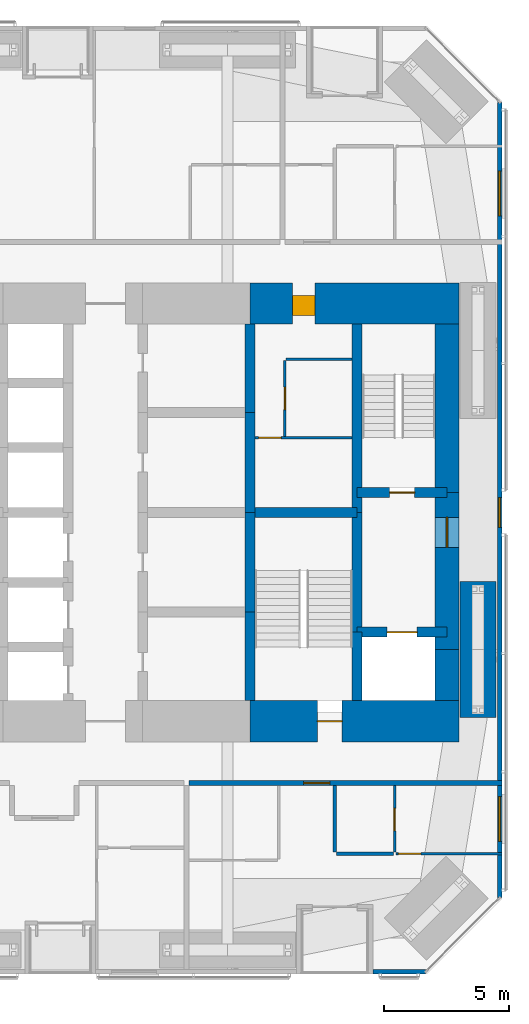
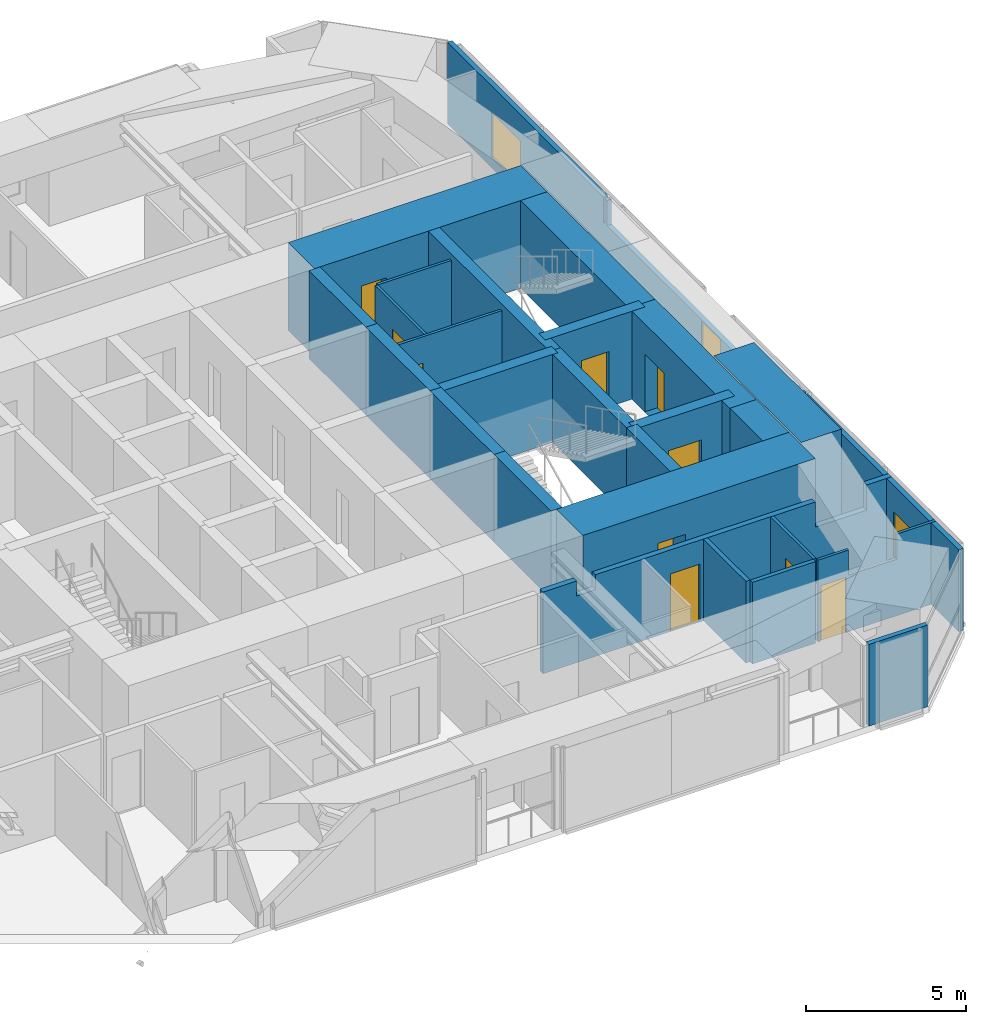
# One storey, part 20 of 23: 26 walls, 10 doors, 3 windows, 13 openings.
"""IFC4 building model written with IfcOpenShell, lengths in metres."""

from ifc_helpers import new_model, si_unit, direction, frame, frame_2d, origin, place, context, subcontext, project, spatial, polyline, rectangle, outline, extrude, material, layer, layer_set, constituent, constituent_set, type_object, element, fill, save


model = new_model("IFC4")

# Units and contexts
model_context = context("Model", 3, precision=1e-05, world=origin(), true_north=direction((0.0, 1.0)))
body_context = subcontext(model_context, "Body", "Model", "MODEL_VIEW")
ifc_project = project(units=[si_unit("LENGTHUNIT", "METRE"), si_unit("AREAUNIT", "SQUARE_METRE"), si_unit("VOLUMEUNIT", "CUBIC_METRE"), si_unit("PLANEANGLEUNIT", "RADIAN"), si_unit("MASSUNIT", "GRAM", prefix="KILO")], contexts=[model_context])

# Site, building, storey
site_placement = place(None, origin())
site = spatial("IfcSite", under=ifc_project, at=site_placement, CompositionType="ELEMENT")
building_placement = place(site_placement, origin())
building = spatial("IfcBuilding", under=site, at=building_placement, Name="Jalousie Tower", CompositionType="ELEMENT")
storey_placement = place(building_placement, frame((0.0, 0.0, 27.699951171875)))
storey = spatial("IfcBuildingStorey", under=building, at=storey_placement, Name="L06", CompositionType="ELEMENT", Elevation=27.699951171875)

# Walls
ifc_material_1 = material(Name="Concrete block ASTM C90", Category="concrete")
ifc_constituent_1 = constituent(ifc_material_1, Name="Body")
ifc_material_2 = material(Name="Render")
ifc_constituent_2 = constituent(ifc_material_2, Name="Finish")
ifc_constituent_set_1 = constituent_set(constituents=[ifc_constituent_1, ifc_constituent_2])
wall_type_1 = type_object("IfcWallType", Name="BATHROOM WALL 150", PredefinedType="PLUMBINGWALL", material=ifc_constituent_set_1)
wall_1_placement = place(storey_placement, frame((39.375, 4.8173828125, 0.0), z_axis=(0.0, 0.0, 1.0), x_axis=(1.0, 0.0, 0.0)))
element("IfcWall", 1, at=wall_1_placement, inside=storey, type_object=wall_type_1, Name="Bathroom Wall 150 L06", PredefinedType="PLUMBINGWALL", context=body_context, shape_type="SweptSolid", body=[
    extrude(rectangle(XDim=2.27490234375, YDim=0.14990234375, at=frame_2d((1.137451171875, 0.0))), origin(), (0.0, 0.0, 1.0), 3.110107421875),
])
wall_2_placement = place(storey_placement, frame((39.300048828125, 4.892333984375, 0.0), z_axis=(0.0, 0.0, 1.0), x_axis=(0.0, 1.0, 0.0)))
element("IfcWall", 2, at=wall_2_placement, inside=storey, type_object=wall_type_1, Name="Bathroom Wall 150 L06", PredefinedType="PLUMBINGWALL", context=body_context, shape_type="SweptSolid", body=[
    extrude(rectangle(XDim=2.65771484375, YDim=0.14990234375, at=frame_2d((1.328857421875, 0.0))), origin(), (0.0, 0.0, 1.0), 3.110107421875),
])

# Wall, opening, door
ifc_material_3 = material(Name="Concrete f'c 120 MPa", Category="concrete")
ifc_layer_1 = layer(ifc_material_3, 1.64990234375)
ifc_layer_set_1 = layer_set([ifc_layer_1], Name="Concrete f'c 120 MPa")
wall_type_2 = type_object("IfcWallType", Name="CORE WALL 1650", PredefinedType="SHEAR", material=ifc_layer_set_1)
wall_3_placement = place(storey_placement, frame((35.89990234375, 10.125, 0.0), z_axis=(0.0, 0.0, 1.0), x_axis=(1.0, 0.0, 0.0)))
wall_3 = element("IfcWall", 3, at=wall_3_placement, inside=storey, type_object=wall_type_2, Name="Core wall SD L06", PredefinedType="SHEAR", context=body_context, shape_type="SweptSolid", body=[
    extrude(rectangle(XDim=8.375, YDim=1.64990234375, at=frame_2d((4.1875, 0.0))), origin(), (0.0, 0.0, 1.0), 3.35009765625),
])
opening_1_placement = place(wall_3_placement, frame((2.699951171875, 0.0, 0.0)))
opening_1 = element("IfcOpeningElement", 4, at=opening_1_placement, cuts=wall_3, Name="Opening D10", PredefinedType="OPENING", context=body_context, shape_type="SweptSolid", body=[
    extrude(rectangle(XDim=1.0, YDim=2.10009765625, at=frame_2d((0.5, 1.050048828125))), frame((0.0, 0.8349609375, 0.0), z_axis=(0.0, -1.0, 0.0), x_axis=(1.0, 0.0, 0.0)), (0.0, 0.0, 1.0), 1.669921875),
])
ifc_material_4 = material(Name="Steel fire door", Category="steel")
door_type_1 = type_object("IfcDoorType", Name="STAIR DOOR 1000", OperationType="SINGLE_SWING_LEFT", PredefinedType="DOOR", material=ifc_material_4)
door_1_placement = place(opening_1_placement, origin())
door_1 = element("IfcDoor", 5, at=door_1_placement, inside=storey, type_object=door_type_1, Name="Exit stair C door", OperationType="SINGLE_SWING_RIGHT", OverallHeight=2.10009765625, OverallWidth=1.0, PredefinedType="DOOR", context=body_context, shape_type="SweptSolid", body=[
    extrude(rectangle(XDim=1.0, YDim=2.10009765625, at=frame_2d((0.5, 1.050048828125))), frame((0.0, 0.02490234375, 0.0), z_axis=(0.0, -1.0, 0.0), x_axis=(1.0, 0.0, 0.0)), (0.0, 0.0, 1.0), 0.050048828125),
])
fill(opening_1, door_1)

wall_4_placement = place(storey_placement, frame((44.27490234375, 26.875, 0.0), z_axis=(0.0, 0.0, 1.0), x_axis=(-1.0, 0.0, 0.0)))
wall_4 = element("IfcWall", 6, at=wall_4_placement, inside=storey, type_object=wall_type_2, Name="Core wall NA L06", PredefinedType="SHEAR", context=body_context, shape_type="SweptSolid", body=[
    extrude(rectangle(XDim=8.375, YDim=1.64990234375, at=frame_2d((4.1875, 0.0))), origin(), (0.0, 0.0, 1.0), 3.35009765625),
])
opening_2_placement = place(wall_4_placement, frame((5.77490234375, 0.0, 0.0)))
opening_2 = element("IfcOpeningElement", 7, at=opening_2_placement, cuts=wall_4, Name="Opening D25", PredefinedType="OPENING", context=body_context, shape_type="SweptSolid", body=[
    extrude(rectangle(XDim=0.89990234375, YDim=2.10009765625, at=frame_2d((0.449951171875, 1.050048828125))), frame((0.0, 0.8349609375, 0.0), z_axis=(0.0, -1.0, 0.0), x_axis=(1.0, 0.0, 0.0)), (0.0, 0.0, 1.0), 1.669921875),
])
ifc_material_5 = material(Name="Steel fire door", Category="steel")
door_type_2 = type_object("IfcDoorType", Name="SERVICE LOBBY DOOR 900", OperationType="SINGLE_SWING_LEFT", PredefinedType="DOOR", material=ifc_material_5)
door_2_placement = place(opening_2_placement, origin())
door_2 = element("IfcDoor", 8, at=door_2_placement, inside=storey, type_object=door_type_2, Name="Service lobby door", OperationType="SINGLE_SWING_RIGHT", OverallHeight=2.10009765625, OverallWidth=0.89990234375, PredefinedType="DOOR", context=body_context, shape_type="SweptSolid", body=[
    extrude(rectangle(XDim=0.89990234375, YDim=2.10009765625, at=frame_2d((0.449951171875, 1.050048828125))), frame((0.0, 0.47021484375, 0.0), z_axis=(0.0, -1.0, 0.0), x_axis=(1.0, 0.0, 0.0)), (0.0, 0.0, 1.0), 0.800048828125),
])
fill(opening_2, door_2)

# Walls
ifc_material_6 = material(Name="Concrete f'c 120 MPa", Category="concrete")
ifc_layer_2 = layer(ifc_material_6, 0.39990234375)
ifc_layer_set_2 = layer_set([ifc_layer_2], Name="Concrete f'c 120 MPa")
wall_type_3 = type_object("IfcWallType", Name="CORE WALL 400", PredefinedType="SHEAR", material=ifc_layer_set_2)
wall_5_placement = place(storey_placement, frame((35.89990234375, 10.949951171875, 0.0), z_axis=(0.0, 0.0, 1.0), x_axis=(0.0, 1.0, 0.0)))
element("IfcWall", 9, at=wall_5_placement, inside=storey, type_object=wall_type_3, Name="Core wall X35.9A L06", PredefinedType="SHEAR", context=body_context, shape_type="SweptSolid", body=[
    extrude(rectangle(XDim=3.550048828125, YDim=0.39990234375, at=frame_2d((1.77490234375, 0.0))), origin(), (0.0, 0.0, 1.0), 3.35009765625),
])
for number, where, z_axis, x_axis, name in (
    (10, (35.89990234375, 14.5, 0.0), (0.0, 0.0, 1.0), (0.0, 1.0, 0.0), "Core wall X35.9B L06"),
    (11, (35.89990234375, 18.5, 0.0), (0.0, 0.0, 1.0), (0.0, 1.0, 0.0), "Core wall X35.9C L06"),
):
    element("IfcWall", number, at=place(storey_placement, frame(where, z_axis=z_axis, x_axis=x_axis)), inside=storey, type_object=wall_type_3, Name=name, PredefinedType="SHEAR", context=body_context, shape_type="SweptSolid", body=[
        extrude(rectangle(XDim=4.0, YDim=0.39990234375, at=frame_2d((2.0, 0.0))), origin(), (0.0, 0.0, 1.0), 3.35009765625),
    ])
wall_6_placement = place(storey_placement, frame((35.89990234375, 22.5, 0.0), z_axis=(0.0, 0.0, 1.0), x_axis=(0.0, 1.0, 0.0)))
element("IfcWall", 12, at=wall_6_placement, inside=storey, type_object=wall_type_3, Name="Core wall X35.9D L06", PredefinedType="SHEAR", context=body_context, shape_type="SweptSolid", body=[
    extrude(rectangle(XDim=3.550048828125, YDim=0.39990234375, at=frame_2d((1.77490234375, 0.0))), origin(), (0.0, 0.0, 1.0), 3.35009765625),
])
wall_7_placement = place(storey_placement, frame((40.199951171875, 10.949951171875, 0.0), z_axis=(0.0, 0.0, 1.0), x_axis=(0.0, 1.0, 0.0)))
element("IfcWall", 13, at=wall_7_placement, inside=storey, type_object=wall_type_3, Name="Core wall X40.2A L06", PredefinedType="SHEAR", context=body_context, shape_type="SweptSolid", body=[
    extrude(rectangle(XDim=2.75, YDim=0.39990234375, at=frame_2d((1.375, 0.0))), origin(), (0.0, 0.0, 1.0), 3.35009765625),
])
wall_8_placement = place(storey_placement, frame((40.199951171875, 13.699951171875, 0.0), z_axis=(0.0, 0.0, 1.0), x_axis=(0.0, 1.0, 0.0)))
element("IfcWall", 14, at=wall_8_placement, inside=storey, type_object=wall_type_3, Name="Core wall X40.2B L06", PredefinedType="SHEAR", context=body_context, shape_type="SweptSolid", body=[
    extrude(rectangle(XDim=4.800048828125, YDim=0.39990234375, at=frame_2d((2.39990234375, 0.0))), origin(), (0.0, 0.0, 1.0), 3.35009765625),
])
wall_9_placement = place(storey_placement, frame((40.199951171875, 18.5, 0.0), z_axis=(0.0, 0.0, 1.0), x_axis=(0.0, 1.0, 0.0)))
element("IfcWall", 15, at=wall_9_placement, inside=storey, type_object=wall_type_3, Name="Core wall X40.2C L06", PredefinedType="SHEAR", context=body_context, shape_type="SweptSolid", body=[
    extrude(rectangle(XDim=7.550048828125, YDim=0.39990234375, at=frame_2d((3.77490234375, 0.0))), origin(), (0.0, 0.0, 1.0), 3.35009765625),
])
wall_10_placement = place(storey_placement, frame((35.89990234375, 18.5, 0.0), z_axis=(0.0, 0.0, 1.0), x_axis=(1.0, 0.0, 0.0)))
element("IfcWall", 16, at=wall_10_placement, inside=storey, type_object=wall_type_3, Name="Core wall Y35.9-18.5 L06", PredefinedType="SHEAR", context=body_context, shape_type="SweptSolid", body=[
    extrude(rectangle(XDim=4.300048828125, YDim=0.39990234375, at=frame_2d((2.14990234375, 0.0))), origin(), (0.0, 0.0, 1.0), 3.35009765625),
])

# Wall, opening, door
wall_11_placement = place(storey_placement, frame((40.199951171875, 13.699951171875, 0.0), z_axis=(0.0, 0.0, 1.0), x_axis=(1.0, 0.0, 0.0)))
wall_11 = element("IfcWall", 17, at=wall_11_placement, inside=storey, type_object=wall_type_3, Name="Core wall Y40.2-13.7 L06", PredefinedType="SHEAR", context=body_context, shape_type="SweptSolid", body=[
    extrude(rectangle(XDim=3.60009765625, YDim=0.39990234375, at=frame_2d((1.800048828125, 0.0))), origin(), (0.0, 0.0, 1.0), 3.35009765625),
])
opening_3_placement = place(wall_11_placement, frame((1.199951171875, 0.0, 0.0)))
opening_3 = element("IfcOpeningElement", 18, at=opening_3_placement, cuts=wall_11, Name="Opening LD2", PredefinedType="OPENING", context=body_context, shape_type="SweptSolid", body=[
    extrude(rectangle(XDim=1.199951171875, YDim=2.10009765625, at=frame_2d((0.60009765625, 1.050048828125))), frame((0.0, 0.2099609375, 0.0), z_axis=(0.0, -1.0, 0.0), x_axis=(1.0, 0.0, 0.0)), (0.0, 0.0, 1.0), 0.419921875),
])
ifc_material_7 = material(Name="Steel lift landing door", Category="steel")
door_type_3 = type_object("IfcDoorType", Name="LIFT LANDING DOOR 1200", OperationType="SLIDING_TO_LEFT", PredefinedType="DOOR", material=ifc_material_7)
door_3_placement = place(opening_3_placement, origin())
door_3 = element("IfcDoor", 19, at=door_3_placement, inside=storey, type_object=door_type_3, Name="Lift F2 landing door", OperationType="SLIDING_TO_LEFT", OverallHeight=2.10009765625, OverallWidth=1.199951171875, PredefinedType="DOOR", context=body_context, shape_type="SweptSolid", body=[
    extrude(rectangle(XDim=1.199951171875, YDim=2.10009765625, at=frame_2d((0.60009765625, 1.050048828125))), frame((0.0, 0.02490234375, 0.0), z_axis=(0.0, -1.0, 0.0), x_axis=(1.0, 0.0, 0.0)), (0.0, 0.0, 1.0), 0.050048828125),
])
fill(opening_3, door_3)

wall_12_placement = place(storey_placement, frame((40.199951171875, 19.300048828125, 0.0), z_axis=(0.0, 0.0, 1.0), x_axis=(1.0, 0.0, 0.0)))
wall_12 = element("IfcWall", 20, at=wall_12_placement, inside=storey, type_object=wall_type_3, Name="Core wall Y40.2-19.3 L06", PredefinedType="SHEAR", context=body_context, shape_type="SweptSolid", body=[
    extrude(rectangle(XDim=3.60009765625, YDim=0.39990234375, at=frame_2d((1.800048828125, 0.0))), origin(), (0.0, 0.0, 1.0), 3.35009765625),
])
opening_4_placement = place(wall_12_placement, frame((1.300048828125, 0.0, 0.0)))
opening_4 = element("IfcOpeningElement", 21, at=opening_4_placement, cuts=wall_12, Name="Opening D10", PredefinedType="OPENING", context=body_context, shape_type="SweptSolid", body=[
    extrude(rectangle(XDim=1.0, YDim=2.10009765625, at=frame_2d((0.5, 1.050048828125))), frame((0.0, 0.2099609375, 0.0), z_axis=(0.0, -1.0, 0.0), x_axis=(1.0, 0.0, 0.0)), (0.0, 0.0, 1.0), 0.419921875),
])
door_4_placement = place(opening_4_placement, origin())
door_4 = element("IfcDoor", 22, at=door_4_placement, inside=storey, type_object=door_type_1, Name="Exit stair B door", OperationType="SINGLE_SWING_RIGHT", OverallHeight=2.10009765625, OverallWidth=1.0, PredefinedType="DOOR", context=body_context, shape_type="SweptSolid", body=[
    extrude(rectangle(XDim=1.0, YDim=2.10009765625, at=frame_2d((0.5, 1.050048828125))), frame((0.0, 0.02490234375, 0.0), z_axis=(0.0, -1.0, 0.0), x_axis=(1.0, 0.0, 0.0)), (0.0, 0.0, 1.0), 0.050048828125),
])
fill(opening_4, door_4)

# Wall
ifc_material_8 = material(Name="Concrete f'c 120 MPa", Category="concrete")
ifc_layer_3 = layer(ifc_material_8, 0.949951171875)
ifc_layer_set_3 = layer_set([ifc_layer_3], Name="Concrete f'c 120 MPa")
wall_type_4 = type_object("IfcWallType", Name="CORE WALL 950", PredefinedType="SHEAR", material=ifc_layer_set_3)
wall_13_placement = place(storey_placement, frame((43.800048828125, 10.949951171875, 0.0), z_axis=(0.0, 0.0, 1.0), x_axis=(0.0, 1.0, 0.0)))
element("IfcWall", 23, at=wall_13_placement, inside=storey, type_object=wall_type_4, Name="Core wall EA L06", PredefinedType="SHEAR", context=body_context, shape_type="SweptSolid", body=[
    extrude(rectangle(XDim=2.050048828125, YDim=0.949951171875, at=frame_2d((1.02490234375, 0.0))), origin(), (0.0, 0.0, 1.0), 3.35009765625),
])

# Wall, opening, door
wall_14_placement = place(storey_placement, frame((43.800048828125, 13.0, 0.0), z_axis=(0.0, 0.0, 1.0), x_axis=(0.0, 1.0, 0.0)))
wall_14 = element("IfcWall", 24, at=wall_14_placement, inside=storey, type_object=wall_type_4, Name="Core wall EB L06", PredefinedType="SHEAR", context=body_context, shape_type="SweptSolid", body=[
    extrude(rectangle(XDim=6.300048828125, YDim=0.949951171875, at=frame_2d((3.14990234375, 0.0))), origin(), (0.0, 0.0, 1.0), 3.35009765625),
])
opening_5_placement = place(wall_14_placement, frame((4.10009765625, 0.0, 0.0)))
opening_5 = element("IfcOpeningElement", 25, at=opening_5_placement, cuts=wall_14, Name="Opening D11", PredefinedType="OPENING", context=body_context, shape_type="SweptSolid", body=[
    extrude(rectangle(XDim=1.199951171875, YDim=2.199951171875, at=frame_2d((0.60009765625, 1.10009765625))), frame((0.0, 0.48486328125, 0.0), z_axis=(0.0, -1.0, 0.0), x_axis=(1.0, 0.0, 0.0)), (0.0, 0.0, 1.0), 0.969970703125),
])
ifc_material_9 = material(Name="Steel fire door", Category="steel")
door_type_4 = type_object("IfcDoorType", Name="FIRE DOOR 1200", OperationType="SINGLE_SWING_LEFT", PredefinedType="DOOR", material=ifc_material_9)
door_5_placement = place(opening_5_placement, origin())
door_5 = element("IfcDoor", 26, at=door_5_placement, inside=storey, type_object=door_type_4, Name="Fire-fighting lobby B door", OperationType="SINGLE_SWING_RIGHT", OverallHeight=2.199951171875, OverallWidth=1.199951171875, PredefinedType="DOOR", context=body_context, shape_type="SweptSolid", body=[
    extrude(rectangle(XDim=1.199951171875, YDim=2.199951171875, at=frame_2d((0.60009765625, 1.10009765625))), frame((0.0, 0.02490234375, 0.0), z_axis=(0.0, -1.0, 0.0), x_axis=(1.0, 0.0, 0.0)), (0.0, 0.0, 1.0), 0.050048828125),
])
fill(opening_5, door_5)

# Wall
wall_15_placement = place(storey_placement, frame((43.800048828125, 19.300048828125, 0.0), z_axis=(0.0, 0.0, 1.0), x_axis=(0.0, 1.0, 0.0)))
element("IfcWall", 27, at=wall_15_placement, inside=storey, type_object=wall_type_4, Name="Core wall EC L06", PredefinedType="SHEAR", context=body_context, shape_type="SweptSolid", body=[
    extrude(rectangle(XDim=6.75, YDim=0.949951171875, at=frame_2d((3.375, 0.0))), origin(), (0.0, 0.0, 1.0), 3.35009765625),
])

# Wall, opening, door
ifc_material_10 = material(Name="Concrete block ASTM C90", Category="concrete")
ifc_constituent_3 = constituent(ifc_material_10, Name="Body")
ifc_material_11 = material(Name="Render")
ifc_constituent_4 = constituent(ifc_material_11, Name="Finish")
ifc_constituent_set_2 = constituent_set(constituents=[ifc_constituent_3, ifc_constituent_4])
wall_type_5 = type_object("IfcWallType", Name="CORRIDOR WALL 200", PredefinedType="PARTITIONING", material=ifc_constituent_set_2)
wall_16_placement = place(storey_placement, frame((33.449951171875, 7.64990234375, 0.0), z_axis=(0.0, 0.0, 1.0), x_axis=(1.0, 0.0, 0.0)))
wall_16 = element("IfcWall", 28, at=wall_16_placement, inside=storey, type_object=wall_type_5, Name="Corridor Wall 200 L06", PredefinedType="PARTITIONING", context=body_context, shape_type="SweptSolid", body=[
    extrude(outline(polyline([(0.0, 0.0), (12.550048828125, 0.0), (12.550048828125, 3.110107421875), (11.654296875, 3.110107421875), (11.654296875, 2.150146484375), (9.810546875, 2.150146484375), (9.810546875, 3.110107421875), (1.88720703125, 3.110107421875), (1.88720703125, 2.541015625), (1.212646484375, 2.541015625), (1.212646484375, 3.110107421875), (0.0, 3.110107421875), (0.0, 0.0)])), frame((0.0, 0.10009765625, 0.0), z_axis=(0.0, -1.0, 0.0), x_axis=(1.0, 0.0, 0.0)), (0.0, 0.0, 1.0), 0.199951171875),
])
opening_6_placement = place(wall_16_placement, frame((4.60009765625, 0.0, 0.0)))
opening_6 = element("IfcOpeningElement", 29, at=opening_6_placement, cuts=wall_16, Name="Opening D1", PredefinedType="OPENING", context=body_context, shape_type="SweptSolid", body=[
    extrude(rectangle(XDim=1.050048828125, YDim=2.199951171875, at=frame_2d((0.52490234375, 1.10009765625))), frame((0.0, 0.10986328125, 0.0), z_axis=(0.0, -1.0, 0.0), x_axis=(1.0, 0.0, 0.0)), (0.0, 0.0, 1.0), 0.219970703125),
])
ifc_material_12 = material(Name="Timber fire door", Category="wood")
door_type_5 = type_object("IfcDoorType", Name="APARTMENT ENTRANCE DOOR 1050", OperationType="SINGLE_SWING_LEFT", PredefinedType="DOOR", material=ifc_material_12)
door_6_placement = place(opening_6_placement, frame((1.050048828125, 0.0, 0.0), z_axis=(0.0, 0.0, 1.0), x_axis=(-1.0, 0.0, 0.0)))
door_6 = element("IfcDoor", 30, at=door_6_placement, inside=storey, type_object=door_type_5, Name="Apartment 0603 entrance", OperationType="SINGLE_SWING_LEFT", OverallHeight=2.199951171875, OverallWidth=1.050048828125, PredefinedType="DOOR", context=body_context, shape_type="SweptSolid", body=[
    extrude(rectangle(XDim=1.050048828125, YDim=2.199951171875, at=frame_2d((0.52490234375, 1.10009765625))), frame((0.0, 0.02490234375, 0.0), z_axis=(0.0, -1.0, 0.0), x_axis=(1.0, 0.0, 0.0)), (0.0, 0.0, 1.0), 0.050048828125),
])
fill(opening_6, door_6)

# Wall
ifc_material_13 = material(Name="Concrete f'c 40 MPa", Category="concrete")
ifc_constituent_5 = constituent(ifc_material_13, Name="Body")
ifc_material_14 = material(Name="Render, pastel coral")
ifc_constituent_6 = constituent(ifc_material_14, Name="Finish")
ifc_constituent_set_3 = constituent_set(constituents=[ifc_constituent_5, ifc_constituent_6])
wall_type_6 = type_object("IfcWallType", Name="EXTERNAL WALL 175 CORAL RENDER", PredefinedType="SOLIDWALL", material=ifc_constituent_set_3)
wall_17_placement = place(storey_placement, frame((40.824951171875, 0.08740234375, 0.0), z_axis=(0.0, 0.0, 1.0), x_axis=(1.0, 0.0, 0.0)))
element("IfcWall", 31, at=wall_17_placement, inside=storey, type_object=wall_type_6, Name="External Wall 175 Coral Render L06", PredefinedType="SOLIDWALL", context=body_context, shape_type="SweptSolid", body=[
    extrude(rectangle(XDim=2.123779296875, YDim=0.175048828125, at=frame_2d((1.06201171875, 0.0))), origin(), (0.0, 0.0, 1.0), 3.110107421875),
])

# Wall, openings, windows
wall_18_placement = place(storey_placement, frame((45.91259765625, 3.05126953125, 0.0), z_axis=(0.0, 0.0, 1.0), x_axis=(0.0, 1.0, 0.0)))
wall_18 = element("IfcWall", 32, at=wall_18_placement, inside=storey, type_object=wall_type_6, Name="External Wall 175 Coral Render L06", PredefinedType="SOLIDWALL", context=body_context, shape_type="SweptSolid", body=[
    extrude(outline(polyline([(0.0, 0.0), (31.8974609375, 0.0), (31.8974609375, 3.110107421875), (22.167236328125, 3.110107421875), (22.167236328125, 2.150146484375), (22.074462890625, 2.150146484375), (22.074462890625, 3.110107421875), (21.94873046875, 3.110107421875), (21.94873046875, 2.150146484375), (9.94873046875, 2.150146484375), (9.94873046875, 3.110107421875), (9.822998046875, 3.110107421875), (9.822998046875, 2.150146484375), (9.72998046875, 2.150146484375), (9.72998046875, 3.110107421875), (0.0, 3.110107421875), (0.0, 0.0)])), frame((0.0, 0.08740234375, 0.0), z_axis=(0.0, -1.0, 0.0), x_axis=(1.0, 0.0, 0.0)), (0.0, 0.0, 1.0), 0.175048828125),
])
opening_7_placement = place(wall_18_placement, frame((2.25732421875, 0.0, 0.39990234375)))
opening_7 = element("IfcOpeningElement", 33, at=opening_7_placement, cuts=wall_18, Name="Opening W-BED170", PredefinedType="OPENING", context=body_context, shape_type="SweptSolid", body=[
    extrude(rectangle(XDim=1.800048828125, YDim=1.699951171875, at=frame_2d((0.89990234375, 0.85009765625))), frame((0.0, 0.097412109375, 0.0), z_axis=(0.0, -1.0, 0.0), x_axis=(1.0, 0.0, 0.0)), (0.0, 0.0, 1.0), 0.195068359375),
])
opening_8_placement = place(wall_18_placement, frame((14.8486328125, 0.0, 0.39990234375)))
opening_8 = element("IfcOpeningElement", 34, at=opening_8_placement, cuts=wall_18, Name="Opening W-COR170", PredefinedType="OPENING", context=body_context, shape_type="SweptSolid", body=[
    extrude(rectangle(XDim=1.199951171875, YDim=1.699951171875, at=frame_2d((0.60009765625, 0.85009765625))), frame((0.0, 0.097412109375, 0.0), z_axis=(0.0, -1.0, 0.0), x_axis=(1.0, 0.0, 0.0)), (0.0, 0.0, 1.0), 0.195068359375),
])
opening_9_placement = place(wall_18_placement, frame((27.340087890625, 0.0, 0.39990234375)))
opening_9 = element("IfcOpeningElement", 35, at=opening_9_placement, cuts=wall_18, Name="Opening W-BED170", PredefinedType="OPENING", context=body_context, shape_type="SweptSolid", body=[
    extrude(rectangle(XDim=1.800048828125, YDim=1.699951171875, at=frame_2d((0.89990234375, 0.85009765625))), frame((0.0, 0.097412109375, 0.0), z_axis=(0.0, -1.0, 0.0), x_axis=(1.0, 0.0, 0.0)), (0.0, 0.0, 1.0), 0.195068359375),
])
ifc_material_15 = material(Name="Aluminium frame, impact-rated glazing", Category="aluminium")
window_type_1 = type_object("IfcWindowType", Name="WINDOW BED 1800x1700", PartitioningType="SINGLE_PANEL", PredefinedType="WINDOW", material=ifc_material_15)
window_1_placement = place(opening_7_placement, origin())
window_1 = element("IfcWindow", 36, at=window_1_placement, inside=storey, type_object=window_type_1, Name="Apartment 0603 bedroom 1 window", OverallHeight=1.699951171875, OverallWidth=1.800048828125, PartitioningType="SINGLE_PANEL", PredefinedType="WINDOW", context=body_context, shape_type="SweptSolid", body=[
    extrude(rectangle(XDim=1.800048828125, YDim=1.699951171875, at=frame_2d((0.89990234375, 0.85009765625))), frame((0.0, 0.030029296875, 0.0), z_axis=(0.0, -1.0, 0.0), x_axis=(1.0, 0.0, 0.0)), (0.0, 0.0, 1.0), 0.06005859375),
])
fill(opening_7, window_1)
window_2_placement = place(opening_9_placement, origin())
window_2 = element("IfcWindow", 37, at=window_2_placement, inside=storey, type_object=window_type_1, Name="Apartment 0605 bedroom 1 window", OverallHeight=1.699951171875, OverallWidth=1.800048828125, PartitioningType="SINGLE_PANEL", PredefinedType="WINDOW", context=body_context, shape_type="SweptSolid", body=[
    extrude(rectangle(XDim=1.800048828125, YDim=1.699951171875, at=frame_2d((0.89990234375, 0.85009765625))), frame((0.0, 0.030029296875, 0.0), z_axis=(0.0, -1.0, 0.0), x_axis=(1.0, 0.0, 0.0)), (0.0, 0.0, 1.0), 0.06005859375),
])
fill(opening_9, window_2)
ifc_material_16 = material(Name="Aluminium frame, impact-rated glazing", Category="aluminium")
window_type_2 = type_object("IfcWindowType", Name="WINDOW COR 1200x1700", PartitioningType="SINGLE_PANEL", PredefinedType="WINDOW", material=ifc_material_16)
window_3_placement = place(opening_8_placement, origin())
window_3 = element("IfcWindow", 38, at=window_3_placement, inside=storey, type_object=window_type_2, Name="Corridor window", OverallHeight=1.699951171875, OverallWidth=1.199951171875, PartitioningType="SINGLE_PANEL", PredefinedType="WINDOW", context=body_context, shape_type="SweptSolid", body=[
    extrude(rectangle(XDim=1.199951171875, YDim=1.699951171875, at=frame_2d((0.60009765625, 0.85009765625))), frame((0.0, 0.030029296875, 0.0), z_axis=(0.0, -1.0, 0.0), x_axis=(1.0, 0.0, 0.0)), (0.0, 0.0, 1.0), 0.06005859375),
])
fill(opening_8, window_3)

# Wall, opening, door
ifc_material_17 = material(Name="Gypsum board", Category="gypsum")
ifc_constituent_7 = constituent(ifc_material_17, Name="Body")
ifc_material_18 = material(Name="Light-gauge steel studs ASTM A653 SS Grade 33", Category="steel")
ifc_constituent_8 = constituent(ifc_material_18, Name="Framing")
ifc_constituent_set_4 = constituent_set(constituents=[ifc_constituent_7, ifc_constituent_8])
wall_type_7 = type_object("IfcWallType", Name="PARTITION 100", PredefinedType="PARTITIONING", material=ifc_constituent_set_4)
wall_19_placement = place(storey_placement, frame((41.699951171875, 4.892333984375, 0.0), z_axis=(0.0, 0.0, 1.0), x_axis=(0.0, 1.0, 0.0)))
wall_19 = element("IfcWall", 39, at=wall_19_placement, inside=storey, type_object=wall_type_7, Name="Partition 100 L06", PredefinedType="PARTITIONING", context=body_context, shape_type="SweptSolid", body=[
    extrude(rectangle(XDim=2.65771484375, YDim=0.10009765625, at=frame_2d((1.328857421875, 0.0))), origin(), (0.0, 0.0, 1.0), 3.110107421875),
])
opening_10_placement = place(wall_19_placement, frame((0.84130859375, 0.0, 0.0)))
opening_10 = element("IfcOpeningElement", 40, at=opening_10_placement, cuts=wall_19, Name="Opening D3", PredefinedType="OPENING", context=body_context, shape_type="SweptSolid", body=[
    extrude(rectangle(XDim=0.89990234375, YDim=2.10009765625, at=frame_2d((0.449951171875, 1.050048828125))), frame((0.0, 0.06005859375, 0.0), z_axis=(0.0, -1.0, 0.0), x_axis=(1.0, 0.0, 0.0)), (0.0, 0.0, 1.0), 0.1201171875),
])
ifc_material_19 = material(Name="Timber door", Category="wood")
door_type_6 = type_object("IfcDoorType", Name="BATHROOM DOOR 900", OperationType="SINGLE_SWING_LEFT", PredefinedType="DOOR", material=ifc_material_19)
door_7_placement = place(opening_10_placement, origin())
door_7 = element("IfcDoor", 41, at=door_7_placement, inside=storey, type_object=door_type_6, Name="Apartment 0603 bedroom 1 bathroom door", OperationType="SINGLE_SWING_LEFT", OverallHeight=2.10009765625, OverallWidth=0.89990234375, PredefinedType="DOOR", context=body_context, shape_type="SweptSolid", body=[
    extrude(rectangle(XDim=0.89990234375, YDim=2.10009765625, at=frame_2d((0.449951171875, 1.050048828125))), frame((0.0, 0.02490234375, 0.0), z_axis=(0.0, -1.0, 0.0), x_axis=(1.0, 0.0, 0.0)), (0.0, 0.0, 1.0), 0.050048828125),
])
fill(opening_10, door_7)

wall_20_placement = place(storey_placement, frame((41.75, 4.8173828125, 0.0), z_axis=(0.0, 0.0, 1.0), x_axis=(1.0, 0.0, 0.0)))
wall_20 = element("IfcWall", 42, at=wall_20_placement, inside=storey, type_object=wall_type_7, Name="Partition 100 L06", PredefinedType="PARTITIONING", context=body_context, shape_type="SweptSolid", body=[
    extrude(outline(polyline([(0.0, 0.0), (4.25, 0.0), (4.25, 3.110107421875), (2.84423828125, 3.110107421875), (2.84423828125, 2.150146484375), (1.101806640625, 2.150146484375), (1.101806640625, 3.110107421875), (0.0, 3.110107421875), (0.0, 0.0)])), frame((0.0, 0.050048828125, 0.0), z_axis=(0.0, -1.0, 0.0), x_axis=(1.0, 0.0, 0.0)), (0.0, 0.0, 1.0), 0.10009765625),
])
opening_11_placement = place(wall_20_placement, frame((0.10009765625, 0.0, 0.0)))
opening_11 = element("IfcOpeningElement", 43, at=opening_11_placement, cuts=wall_20, Name="Opening D2", PredefinedType="OPENING", context=body_context, shape_type="SweptSolid", body=[
    extrude(rectangle(XDim=0.89990234375, YDim=2.10009765625, at=frame_2d((0.449951171875, 1.050048828125))), frame((0.0, 0.06005859375, 0.0), z_axis=(0.0, -1.0, 0.0), x_axis=(1.0, 0.0, 0.0)), (0.0, 0.0, 1.0), 0.1201171875),
])
ifc_material_20 = material(Name="Timber door", Category="wood")
door_type_7 = type_object("IfcDoorType", Name="BEDROOM DOOR 900", OperationType="SINGLE_SWING_LEFT", PredefinedType="DOOR", material=ifc_material_20)
door_8_placement = place(opening_11_placement, origin())
door_8 = element("IfcDoor", 44, at=door_8_placement, inside=storey, type_object=door_type_7, Name="Apartment 0603 bedroom 1 door", OperationType="SINGLE_SWING_LEFT", OverallHeight=2.10009765625, OverallWidth=0.89990234375, PredefinedType="DOOR", context=body_context, shape_type="SweptSolid", body=[
    extrude(rectangle(XDim=0.89990234375, YDim=2.10009765625, at=frame_2d((0.449951171875, 1.050048828125))), frame((0.0, 0.02490234375, 0.0), z_axis=(0.0, -1.0, 0.0), x_axis=(1.0, 0.0, 0.0)), (0.0, 0.0, 1.0), 0.050048828125),
])
fill(opening_11, door_8)

# Wall
wall_21_placement = place(storey_placement, frame((37.35009765625, 24.64990234375, 0.0), z_axis=(0.0, 0.0, 1.0), x_axis=(1.0, 0.0, 0.0)))
element("IfcWall", 45, at=wall_21_placement, inside=storey, type_object=wall_type_7, Name="Partition 100 L06", PredefinedType="PARTITIONING", context=body_context, shape_type="SweptSolid", body=[
    extrude(rectangle(XDim=2.64990234375, YDim=0.10009765625, at=frame_2d((1.324951171875, 0.0))), origin(), (0.0, 0.0, 1.0), 3.110107421875),
])

# Wall, opening, door
wall_22_placement = place(storey_placement, frame((37.300048828125, 21.550048828125, 0.0), z_axis=(0.0, 0.0, 1.0), x_axis=(0.0, 1.0, 0.0)))
wall_22 = element("IfcWall", 46, at=wall_22_placement, inside=storey, type_object=wall_type_7, Name="Partition 100 L06", PredefinedType="PARTITIONING", context=body_context, shape_type="SweptSolid", body=[
    extrude(rectangle(XDim=3.050048828125, YDim=0.10009765625, at=frame_2d((1.52490234375, 0.0))), origin(), (0.0, 0.0, 1.0), 3.110107421875),
])
opening_12_placement = place(wall_22_placement, frame((1.074951171875, 0.0, 0.0)))
opening_12 = element("IfcOpeningElement", 47, at=opening_12_placement, cuts=wall_22, Name="Opening D7", PredefinedType="OPENING", context=body_context, shape_type="SweptSolid", body=[
    extrude(rectangle(XDim=0.89990234375, YDim=2.10009765625, at=frame_2d((0.449951171875, 1.050048828125))), frame((0.0, 0.06005859375, 0.0), z_axis=(0.0, -1.0, 0.0), x_axis=(1.0, 0.0, 0.0)), (0.0, 0.0, 1.0), 0.1201171875),
])
ifc_material_21 = material(Name="Timber door", Category="wood")
door_type_8 = type_object("IfcDoorType", Name="INTERNAL DOOR 900", OperationType="SINGLE_SWING_LEFT", PredefinedType="DOOR", material=ifc_material_21)
door_9_placement = place(opening_12_placement, frame((0.89990234375, 0.0, 0.0), z_axis=(0.0, 0.0, 1.0), x_axis=(-1.0, 0.0, 0.0)))
door_9 = element("IfcDoor", 48, at=door_9_placement, inside=storey, type_object=door_type_8, Name="Ice and vending room door", OperationType="SINGLE_SWING_LEFT", OverallHeight=2.10009765625, OverallWidth=0.89990234375, PredefinedType="DOOR", context=body_context, shape_type="SweptSolid", body=[
    extrude(rectangle(XDim=0.89990234375, YDim=2.10009765625, at=frame_2d((0.449951171875, 1.050048828125))), frame((0.0, 0.02490234375, 0.0), z_axis=(0.0, -1.0, 0.0), x_axis=(1.0, 0.0, 0.0)), (0.0, 0.0, 1.0), 0.050048828125),
])
fill(opening_12, door_9)

wall_23_placement = place(storey_placement, frame((36.10009765625, 21.5, 0.0), z_axis=(0.0, 0.0, 1.0), x_axis=(1.0, 0.0, 0.0)))
wall_23 = element("IfcWall", 49, at=wall_23_placement, inside=storey, type_object=wall_type_7, Name="Partition 100 L06", PredefinedType="PARTITIONING", context=body_context, shape_type="SweptSolid", body=[
    extrude(rectangle(XDim=3.89990234375, YDim=0.10009765625, at=frame_2d((1.949951171875, 0.0))), origin(), (0.0, 0.0, 1.0), 3.110107421875),
])
opening_13_placement = place(wall_23_placement, frame((0.14990234375, 0.0, 0.0)))
opening_13 = element("IfcOpeningElement", 50, at=opening_13_placement, cuts=wall_23, Name="Opening D7", PredefinedType="OPENING", context=body_context, shape_type="SweptSolid", body=[
    extrude(rectangle(XDim=0.89990234375, YDim=2.10009765625, at=frame_2d((0.449951171875, 1.050048828125))), frame((0.0, 0.06005859375, 0.0), z_axis=(0.0, -1.0, 0.0), x_axis=(1.0, 0.0, 0.0)), (0.0, 0.0, 1.0), 0.1201171875),
])
door_10_placement = place(opening_13_placement, frame((0.89990234375, 0.0, 0.0), z_axis=(0.0, 0.0, 1.0), x_axis=(-1.0, 0.0, 0.0)))
door_10 = element("IfcDoor", 51, at=door_10_placement, inside=storey, type_object=door_type_8, Name="Linen store door", OperationType="SINGLE_SWING_RIGHT", OverallHeight=2.10009765625, OverallWidth=0.89990234375, PredefinedType="DOOR", context=body_context, shape_type="SweptSolid", body=[
    extrude(rectangle(XDim=0.89990234375, YDim=2.10009765625, at=frame_2d((0.449951171875, 1.050048828125))), frame((0.0, 0.02490234375, 0.0), z_axis=(0.0, -1.0, 0.0), x_axis=(1.0, 0.0, 0.0)), (0.0, 0.0, 1.0), 0.050048828125),
])
fill(opening_13, door_10)

# Wall
ifc_material_22 = material(Name="Concrete f'c 120 MPa", Category="concrete")
ifc_layer_4 = layer(ifc_material_22, 1.449951171875)
ifc_layer_set_4 = layer_set([ifc_layer_4], Name="Concrete f'c 120 MPa")
wall_type_8 = type_object("IfcWallType", Name="RC WALL PIER 1450", PredefinedType="SHEAR", material=ifc_layer_set_4)
wall_24_placement = place(storey_placement, frame((45.050048828125, 10.27490234375, 0.0), z_axis=(0.0, 0.0, 1.0), x_axis=(0.0, 1.0, 0.0)))
element("IfcWall", 52, at=wall_24_placement, inside=storey, type_object=wall_type_8, Name="Wall pier 06 L06", PredefinedType="SHEAR", context=body_context, shape_type="SweptSolid", body=[
    extrude(rectangle(XDim=5.4501953125, YDim=1.449951171875, at=frame_2d((2.72509765625, 0.0))), origin(), (0.0, 0.0, 1.0), 3.35009765625),
])

save(model, "model.ifc")
